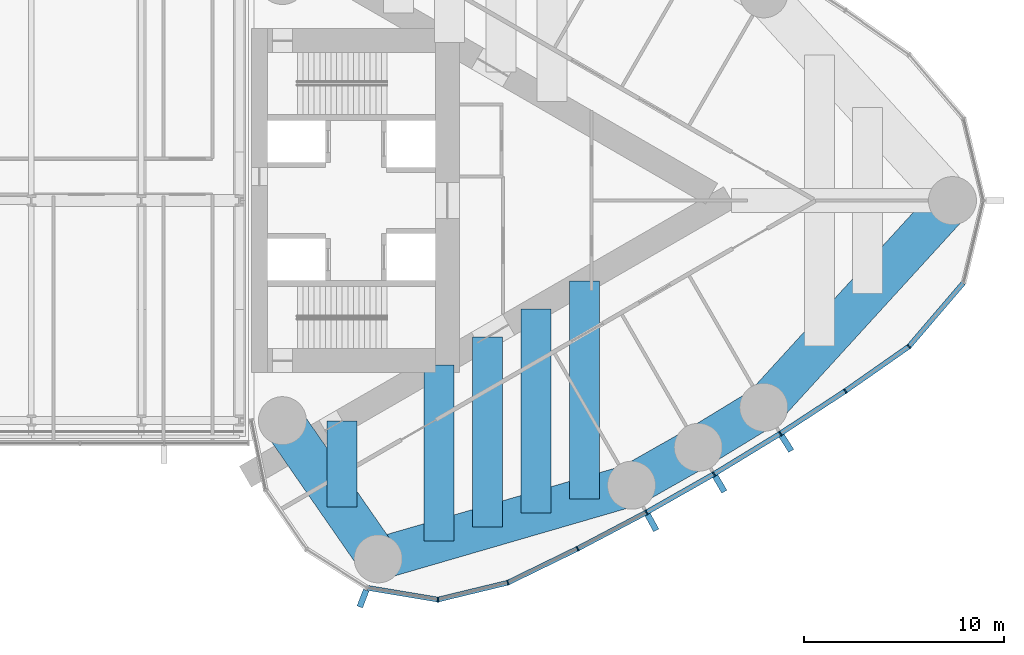
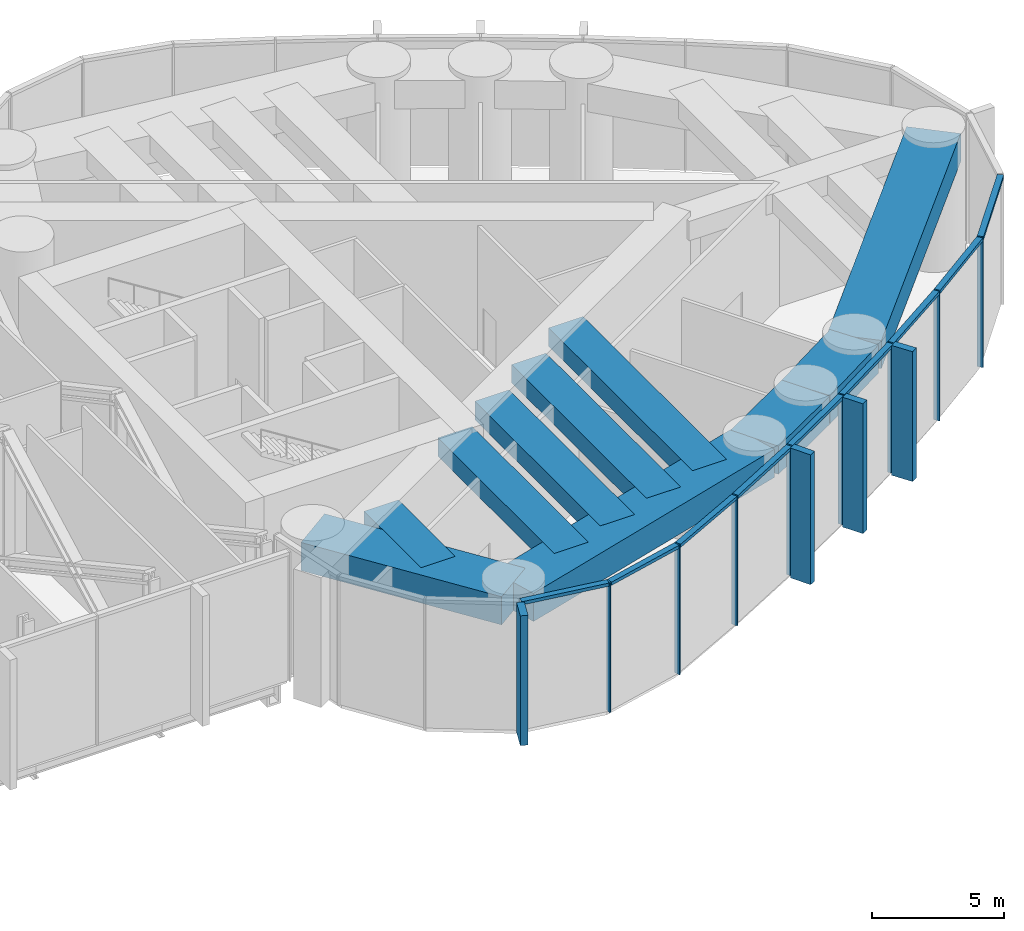
# One storey, part 9 of 21: 21 members, 10 beams, 1 element without a shape of its own.
"""IFC4 building model written with IfcOpenShell, lengths in metres."""

from ifc_helpers import new_model, si_unit, direction, frame, origin, origin_2d, place, context, subcontext, project, spatial, rectangle, extrude, material, material_profile, profile_set, type_object, element, aggregate, save


model = new_model("IFC4")

# Units and contexts
model_context = context("Model", 3, precision=1e-05, world=origin(), true_north=direction((0.0, 1.0)))
body_context = subcontext(model_context, "Body", "Model", "MODEL_VIEW")
ifc_project = project(units=[si_unit("LENGTHUNIT", "METRE"), si_unit("AREAUNIT", "SQUARE_METRE"), si_unit("VOLUMEUNIT", "CUBIC_METRE"), si_unit("PLANEANGLEUNIT", "RADIAN"), si_unit("MASSUNIT", "GRAM", prefix="KILO")], contexts=[model_context])

# Site, building, storey
site_placement = place(None, origin())
site = spatial("IfcSite", under=ifc_project, at=site_placement, CompositionType="ELEMENT")
building_placement = place(site_placement, origin())
building = spatial("IfcBuilding", under=site, at=building_placement, Name="Lancet Gate Hotel", CompositionType="ELEMENT")
storey_placement = place(building_placement, frame((0.0, 0.0, 257.300048828125)))
storey = spatial("IfcBuildingStorey", under=building, at=storey_placement, Name="L68", CompositionType="ELEMENT", Elevation=257.300048828125)

# Curtain wall, members
ifc_material_1 = material(Name="Aluminium curtain wall", Category="aluminium")
curtain_wall_type = type_object("IfcCurtainWallType", Name="Sky deck full-height glazing", PredefinedType="USERDEFINED", material=ifc_material_1)
curtain_wall_placement = place(storey_placement, origin())
curtain_wall = element("IfcCurtainWall", 1, at=curtain_wall_placement, inside=storey, type_object=curtain_wall_type, Name="T2 L68 curtain wall 1", ObjectType="UNITISED CURTAIN WALL", PredefinedType="USERDEFINED")
ifc_material_2 = material(Name="Aluminium mullion", Category="aluminium")
ifc_material_profile_1 = material_profile(ifc_material_2, rectangle(XDim=0.06494140625, YDim=0.25, at=origin_2d()), Name="MULLION 65x250")
ifc_profile_set_1 = profile_set([ifc_material_profile_1], Name="Aluminium mullion")
member_type_1 = type_object("IfcMemberType", Name="Aluminium mullion 65x250", PredefinedType="MULLION", material=ifc_profile_set_1)
member_1_placement = place(storey_placement, frame((36.826171875, -19.942138671875, 0.0), z_axis=(0.0, 0.0, 1.0), x_axis=(0.999342744911, 0.03625021647, 0.0)))
member_1 = element("IfcMember", 2, at=member_1_placement, type_object=member_type_1, Name="T2 L68 curtain wall 1 mullion 5", PredefinedType="MULLION", context=body_context, shape_type="SweptSolid", body=[
    extrude(rectangle(XDim=0.06494140625, YDim=0.25, at=origin_2d()), origin(), (0.0, 0.0, 1.0), 6.0),
])
member_2_placement = place(storey_placement, frame((40.3173828125, -19.098388671875, 0.0), z_axis=(0.0, 0.0, 1.0), x_axis=(0.939483740419, 0.342593493061, 0.0)))
member_2 = element("IfcMember", 3, at=member_2_placement, type_object=member_type_1, Name="T2 L68 curtain wall 1 mullion 6", PredefinedType="MULLION", context=body_context, shape_type="SweptSolid", body=[
    extrude(rectangle(XDim=0.06494140625, YDim=0.25, at=origin_2d()), origin(), (0.0, 0.0, 1.0), 6.0),
])
member_3_placement = place(storey_placement, frame((43.80810546875, -17.396240234375, 0.0), z_axis=(0.0, 0.0, 1.0), x_axis=(0.891832977257, 0.452364831389, 0.0)))
member_3 = element("IfcMember", 4, at=member_3_placement, type_object=member_type_1, Name="T2 L68 curtain wall 1 mullion 7", PredefinedType="MULLION", context=body_context, shape_type="SweptSolid", body=[
    extrude(rectangle(XDim=0.06494140625, YDim=0.25, at=origin_2d()), origin(), (0.0, 0.0, 1.0), 6.0),
])
member_4_placement = place(storey_placement, frame((47.24365234375, -15.585205078125, 0.0), z_axis=(0.0, 0.0, 1.0), x_axis=(0.877194589488, 0.480135035352, 0.0)))
member_4 = element("IfcMember", 5, at=member_4_placement, type_object=member_type_1, Name="T2 L68 curtain wall 1 mullion 8", PredefinedType="MULLION", context=body_context, shape_type="SweptSolid", body=[
    extrude(rectangle(XDim=0.06494140625, YDim=0.25, at=origin_2d()), origin(), (0.0, 0.0, 1.0), 6.0),
])
member_5_placement = place(storey_placement, frame((50.62060546875, -13.667236328125, 0.0), z_axis=(0.0, 0.0, 1.0), x_axis=(0.861691755738, 0.507432082247, 0.0)))
member_5 = element("IfcMember", 6, at=member_5_placement, type_object=member_type_1, Name="T2 L68 curtain wall 1 mullion 9", PredefinedType="MULLION", context=body_context, shape_type="SweptSolid", body=[
    extrude(rectangle(XDim=0.06494140625, YDim=0.25, at=origin_2d()), origin(), (0.0, 0.0, 1.0), 6.0),
])
member_6_placement = place(storey_placement, frame((53.935791015625, -11.644287109375, 0.0), z_axis=(0.0, 0.0, 1.0), x_axis=(0.845339753513, 0.534229071777, 0.0)))
member_6 = element("IfcMember", 7, at=member_6_placement, type_object=member_type_1, Name="T2 L68 curtain wall 1 mullion 10", PredefinedType="MULLION", context=body_context, shape_type="SweptSolid", body=[
    extrude(rectangle(XDim=0.06494140625, YDim=0.25, at=origin_2d()), origin(), (0.0, 0.0, 1.0), 6.0),
])
member_7_placement = place(storey_placement, frame((57.185791015625, -9.518310546875, 0.0), z_axis=(0.0, 0.0, 1.0), x_axis=(0.828154697184, 0.560499596371, 0.0)))
member_7 = element("IfcMember", 8, at=member_7_placement, type_object=member_type_1, Name="T2 L68 curtain wall 1 mullion 11", PredefinedType="MULLION", context=body_context, shape_type="SweptSolid", body=[
    extrude(rectangle(XDim=0.06494140625, YDim=0.25, at=origin_2d()), origin(), (0.0, 0.0, 1.0), 6.0),
])
member_8_placement = place(storey_placement, frame((60.367431640625, -7.291259765625, 0.0), z_axis=(0.0, 0.0, 1.0), x_axis=(0.737323173512, 0.675540182226, 0.0)))
member_8 = element("IfcMember", 9, at=member_8_placement, type_object=member_type_1, Name="T2 L68 curtain wall 1 mullion 12", PredefinedType="MULLION", context=body_context, shape_type="SweptSolid", body=[
    extrude(rectangle(XDim=0.06494140625, YDim=0.25, at=origin_2d()), origin(), (0.0, 0.0, 1.0), 6.0),
])
ifc_material_3 = material(Name="Aluminium transom", Category="aluminium")
ifc_material_profile_2 = material_profile(ifc_material_3, rectangle(XDim=0.25, YDim=0.14990234375, at=origin_2d()), Name="TRANSOM 250x150")
ifc_profile_set_2 = profile_set([ifc_material_profile_2], Name="Aluminium transom")
member_type_2 = type_object("IfcMemberType", Name="Aluminium transom 250x150", PredefinedType="USERDEFINED", material=ifc_profile_set_2)
member_9_placement = place(storey_placement, frame((33.315185546875, -19.35888671875, 5.925048828125), z_axis=(0.986483584545, -0.163860115412, 0.0), x_axis=(0.163860115412, 0.986483584545, 0.0)))
member_9 = element("IfcMember", 10, at=member_9_placement, type_object=member_type_2, Name="T2 L68 curtain wall 1 transom 4", ObjectType="TRANSOM", PredefinedType="USERDEFINED", context=body_context, shape_type="SweptSolid", body=[
    extrude(rectangle(XDim=0.25, YDim=0.14990234375, at=origin_2d()), origin(), (0.0, 0.0, 1.0), 3.526611328125),
])
member_10_placement = place(storey_placement, frame((36.85791015625, -19.9345703125, 5.925048828125), z_axis=(0.972002653858, 0.234969872307, 0.0), x_axis=(-0.234969872307, 0.972002653858, 0.0)))
member_10 = element("IfcMember", 11, at=member_10_placement, type_object=member_type_2, Name="T2 L68 curtain wall 1 transom 5", ObjectType="TRANSOM", PredefinedType="USERDEFINED", context=body_context, shape_type="SweptSolid", body=[
    extrude(rectangle(XDim=0.25, YDim=0.14990234375, at=origin_2d()), origin(), (0.0, 0.0, 1.0), 3.5263671875),
])
member_11_placement = place(storey_placement, frame((40.346435546875, -19.084228515625, 5.925048828125), z_axis=(0.898820051991, 0.438317823206, 0.0), x_axis=(-0.438317823206, 0.898820051991, 0.0)))
member_11 = element("IfcMember", 12, at=member_11_placement, type_object=member_type_2, Name="T2 L68 curtain wall 1 transom 6", ObjectType="TRANSOM", PredefinedType="USERDEFINED", context=body_context, shape_type="SweptSolid", body=[
    extrude(rectangle(XDim=0.25, YDim=0.14990234375, at=origin_2d()), origin(), (0.0, 0.0, 1.0), 3.81884765625),
])
member_12_placement = place(storey_placement, frame((43.836669921875, -17.381103515625, 5.925048828125), z_axis=(0.884618491031, 0.466315478325, 0.0), x_axis=(-0.466315478325, 0.884618491031, 0.0)))
member_12 = element("IfcMember", 13, at=member_12_placement, type_object=member_type_2, Name="T2 L68 curtain wall 1 transom 7", ObjectType="TRANSOM", PredefinedType="USERDEFINED", context=body_context, shape_type="SweptSolid", body=[
    extrude(rectangle(XDim=0.25, YDim=0.14990234375, at=origin_2d()), origin(), (0.0, 0.0, 1.0), 3.81884765625),
])
member_13_placement = place(storey_placement, frame((47.271728515625, -15.569091796875, 5.925048828125), z_axis=(0.869562011924, 0.493823761496, 0.0), x_axis=(-0.493823761496, 0.869562011924, 0.0)))
member_13 = element("IfcMember", 14, at=member_13_placement, type_object=member_type_2, Name="T2 L68 curtain wall 1 transom 8", ObjectType="TRANSOM", PredefinedType="USERDEFINED", context=body_context, shape_type="SweptSolid", body=[
    extrude(rectangle(XDim=0.25, YDim=0.14990234375, at=origin_2d()), origin(), (0.0, 0.0, 1.0), 3.818603515625),
])
member_14_placement = place(storey_placement, frame((50.648193359375, -13.650390625, 5.925048828125), z_axis=(0.853638798527, 0.520865435261, 0.0), x_axis=(-0.520865435261, 0.853638798527, 0.0)))
member_14 = element("IfcMember", 15, at=member_14_placement, type_object=member_type_2, Name="T2 L68 curtain wall 1 transom 9", ObjectType="TRANSOM", PredefinedType="USERDEFINED", context=body_context, shape_type="SweptSolid", body=[
    extrude(rectangle(XDim=0.25, YDim=0.14990234375, at=origin_2d()), origin(), (0.0, 0.0, 1.0), 3.818603515625),
])
member_15_placement = place(storey_placement, frame((53.962890625, -11.62646484375, 5.925048828125), z_axis=(0.836858089593, 0.547419891749, 0.0), x_axis=(-0.547419891749, 0.836858089593, 0.0)))
member_15 = element("IfcMember", 16, at=member_15_placement, type_object=member_type_2, Name="T2 L68 curtain wall 1 transom 10", ObjectType="TRANSOM", PredefinedType="USERDEFINED", context=body_context, shape_type="SweptSolid", body=[
    extrude(rectangle(XDim=0.25, YDim=0.14990234375, at=origin_2d()), origin(), (0.0, 0.0, 1.0), 3.818603515625),
])
member_16_placement = place(storey_placement, frame((57.21240234375, -9.499755859375, 5.925048828125), z_axis=(0.819255948852, 0.573428016642, 0.0), x_axis=(-0.573428016642, 0.819255948852, 0.0)))
member_16 = element("IfcMember", 17, at=member_16_placement, type_object=member_type_2, Name="T2 L68 curtain wall 1 transom 11", ObjectType="TRANSOM", PredefinedType="USERDEFINED", context=body_context, shape_type="SweptSolid", body=[
    extrude(rectangle(XDim=0.25, YDim=0.14990234375, at=origin_2d()), origin(), (0.0, 0.0, 1.0), 3.818603515625),
])
member_17_placement = place(storey_placement, frame((60.388427734375, -7.2666015625, 5.925048828125), z_axis=(0.650592500186, 0.759427019997, 0.0), x_axis=(-0.759427019997, 0.650592500186, 0.0)))
member_17 = element("IfcMember", 18, at=member_17_placement, type_object=member_type_2, Name="T2 L68 curtain wall 1 transom 12", ObjectType="TRANSOM", PredefinedType="USERDEFINED", context=body_context, shape_type="SweptSolid", body=[
    extrude(rectangle(XDim=0.25, YDim=0.14990234375, at=origin_2d()), origin(), (0.0, 0.0, 1.0), 4.1455078125),
])

# Beams
ifc_material_4 = material(Name="Concrete C50/60", Category="concrete")
ifc_material_profile_3 = material_profile(ifc_material_4, rectangle(XDim=2.10009765625, YDim=1.300048828125, at=origin_2d()), Name="RC 2100x1300")
ifc_profile_set_3 = profile_set([ifc_material_profile_3], Name="Concrete C50/60")
beam_type_1 = type_object("IfcBeamType", Name="Edge beam RC 2100x1300", PredefinedType="SPANDREL", material=ifc_profile_set_3)
beam_1_placement = place(storey_placement, frame((33.837158203125, -17.906005859375, 5.099853515625), z_axis=(0.960258384252, 0.279112585659, 0.0), x_axis=(-0.279112585659, 0.960258384252, 0.0)))
element("IfcBeam", 19, at=beam_1_placement, inside=storey, type_object=beam_type_1, Name="T2 edge beam EB1 L68", PredefinedType="SPANDREL", context=body_context, shape_type="SweptSolid", body=[
    extrude(rectangle(XDim=2.10009765625, YDim=1.300048828125, at=origin_2d()), origin(), (0.0, 0.0, 1.0), 13.18603515625),
])
beam_2_placement = place(storey_placement, frame((46.499267578125, -14.2255859375, 5.099853515625), z_axis=(0.869560321562, 0.493826738001, 0.0), x_axis=(-0.493826738001, 0.869560321562, 0.0)))
element("IfcBeam", 20, at=beam_2_placement, inside=storey, type_object=beam_type_1, Name="T2 edge beam EB1 L68", PredefinedType="SPANDREL", context=body_context, shape_type="SweptSolid", body=[
    extrude(rectangle(XDim=2.10009765625, YDim=1.300048828125, at=origin_2d()), origin(), (0.0, 0.0, 1.0), 3.8349609375),
])
beam_3_placement = place(storey_placement, frame((49.833984375, -12.331787109375, 5.099853515625), z_axis=(0.853604257265, 0.520922040212, 0.0), x_axis=(-0.520922040212, 0.853604257265, 0.0)))
element("IfcBeam", 21, at=beam_3_placement, inside=storey, type_object=beam_type_1, Name="T2 edge beam EB1 L68", PredefinedType="SPANDREL", context=body_context, shape_type="SweptSolid", body=[
    extrude(rectangle(XDim=2.10009765625, YDim=1.300048828125, at=origin_2d()), origin(), (0.0, 0.0, 1.0), 3.835205078125),
])
beam_4_placement = place(storey_placement, frame((53.107666015625, -10.333984375, 5.099853515625), z_axis=(0.674209372947, 0.738540263919, 0.0), x_axis=(-0.738540263919, 0.674209372947, 0.0)))
element("IfcBeam", 22, at=beam_4_placement, inside=storey, type_object=beam_type_1, Name="T2 edge beam EB1 L68", PredefinedType="SPANDREL", context=body_context, shape_type="SweptSolid", body=[
    extrude(rectangle(XDim=2.10009765625, YDim=1.300048828125, at=origin_2d()), origin(), (0.0, 0.0, 1.0), 13.992431640625),
])
beam_5_placement = place(storey_placement, frame((33.837158203125, -17.906005859375, 5.099853515625), z_axis=(-0.569694852599, 0.821856298219, 0.0), x_axis=(-0.821856298219, -0.569694852599, 0.0)))
element("IfcBeam", 23, at=beam_5_placement, inside=storey, type_object=beam_type_1, Name="T2 edge beam EB1 L68", PredefinedType="SPANDREL", context=body_context, shape_type="SweptSolid", body=[
    extrude(rectangle(XDim=2.10009765625, YDim=1.300048828125, at=origin_2d()), origin(), (0.0, 0.0, 1.0), 8.40283203125),
])

# Member
ifc_material_5 = material(Name="Precast concrete C50/60", Category="concrete")
ifc_material_profile_4 = material_profile(ifc_material_5, rectangle(XDim=0.300048828125, YDim=0.89990234375, at=origin_2d()), Name="FIN 300x900")
ifc_profile_set_4 = profile_set([ifc_material_profile_4], Name="Precast concrete C50/60")
member_type_3 = type_object("IfcMemberType", Name="Exposed concrete fin 300x900", PredefinedType="USERDEFINED", material=ifc_profile_set_4)
member_18_placement = place(storey_placement, frame((33.07763671875, -19.890625, 0.0), z_axis=(0.0, 0.0, 1.0), x_axis=(0.93394321776, -0.357421412343, 0.0)))
member_18 = element("IfcMember", 24, at=member_18_placement, type_object=member_type_3, Name="T2 L68 curtain wall 1 fin 4", ObjectType="FIN", PredefinedType="USERDEFINED", context=body_context, shape_type="SweptSolid", body=[
    extrude(rectangle(XDim=0.300048828125, YDim=0.89990234375, at=origin_2d()), origin(), (0.0, 0.0, 1.0), 6.0),
])

member_19_placement = place(storey_placement, frame((47.51953125, -16.089599609375, 0.0), z_axis=(0.0, 0.0, 1.0), x_axis=(0.877194589488, 0.480135035352, 0.0)))
member_19 = element("IfcMember", 25, at=member_19_placement, type_object=member_type_3, Name="T2 L68 curtain wall 1 fin 8", ObjectType="FIN", PredefinedType="USERDEFINED", context=body_context, shape_type="SweptSolid", body=[
    extrude(rectangle(XDim=0.300048828125, YDim=0.89990234375, at=origin_2d()), origin(), (0.0, 0.0, 1.0), 6.0),
])

member_20_placement = place(storey_placement, frame((50.912353515625, -14.162841796875, 0.0), z_axis=(0.0, 0.0, 1.0), x_axis=(0.861691755738, 0.507432082247, 0.0)))
member_20 = element("IfcMember", 26, at=member_20_placement, type_object=member_type_3, Name="T2 L68 curtain wall 1 fin 9", ObjectType="FIN", PredefinedType="USERDEFINED", context=body_context, shape_type="SweptSolid", body=[
    extrude(rectangle(XDim=0.300048828125, YDim=0.89990234375, at=origin_2d()), origin(), (0.0, 0.0, 1.0), 6.0),
])

member_21_placement = place(storey_placement, frame((54.242919921875, -12.13037109375, 0.0), z_axis=(0.0, 0.0, 1.0), x_axis=(0.845339753513, 0.534229071777, 0.0)))
member_21 = element("IfcMember", 27, at=member_21_placement, type_object=member_type_3, Name="T2 L68 curtain wall 1 fin 10", ObjectType="FIN", PredefinedType="USERDEFINED", context=body_context, shape_type="SweptSolid", body=[
    extrude(rectangle(XDim=0.300048828125, YDim=0.89990234375, at=origin_2d()), origin(), (0.0, 0.0, 1.0), 6.0),
])

aggregate(curtain_wall, [member_18, member_1, member_2, member_3, member_4, member_19, member_5, member_20, member_6, member_21, member_7, member_8, member_9, member_10, member_11, member_12, member_13, member_14, member_15, member_16, member_17])

# Beams
ifc_material_6 = material(Name="Concrete C50/60", Category="concrete")
ifc_material_profile_5 = material_profile(ifc_material_6, rectangle(XDim=1.5, YDim=0.85009765625, at=origin_2d()), Name="RC 1500x850")
ifc_profile_set_5 = profile_set([ifc_material_profile_5], Name="Concrete C50/60")
beam_type_2 = type_object("IfcBeamType", Name="Floor beam RC 1500x850", PredefinedType="BEAM", material=ifc_profile_set_5)
beam_6_placement = place(storey_placement, frame((32.04052734375, -15.31396484375, 5.324951171875), z_axis=(0.0, 1.0, 0.0), x_axis=(-1.0, 0.0, 0.0)))
element("IfcBeam", 28, at=beam_6_placement, inside=storey, type_object=beam_type_2, Name="T2 floor beam F01S L68", PredefinedType="BEAM", context=body_context, shape_type="SweptSolid", body=[
    extrude(rectangle(XDim=1.5, YDim=0.85009765625, at=origin_2d()), origin(), (0.0, 0.0, 1.0), 4.30859375),
])
beam_7_placement = place(storey_placement, frame((36.880859375, -17.021240234375, 5.324951171875), z_axis=(0.0, 1.0, 0.0), x_axis=(-1.0, 0.0, 0.0)))
element("IfcBeam", 29, at=beam_7_placement, inside=storey, type_object=beam_type_2, Name="T2 floor beam F03S L68", PredefinedType="BEAM", context=body_context, shape_type="SweptSolid", body=[
    extrude(rectangle(XDim=1.5, YDim=0.85009765625, at=origin_2d()), origin(), (0.0, 0.0, 1.0), 8.810546875),
])
beam_8_placement = place(storey_placement, frame((39.301025390625, -16.31787109375, 5.324951171875), z_axis=(0.0, 1.0, 0.0), x_axis=(-1.0, 0.0, 0.0)))
element("IfcBeam", 30, at=beam_8_placement, inside=storey, type_object=beam_type_2, Name="T2 floor beam F05S L68", PredefinedType="BEAM", context=body_context, shape_type="SweptSolid", body=[
    extrude(rectangle(XDim=1.5, YDim=0.85009765625, at=origin_2d()), origin(), (0.0, 0.0, 1.0), 9.50439453125),
])
beam_9_placement = place(storey_placement, frame((41.721435546875, -15.6142578125, 5.324951171875), z_axis=(0.0, 1.0, 0.0), x_axis=(-1.0, 0.0, 0.0)))
element("IfcBeam", 31, at=beam_9_placement, inside=storey, type_object=beam_type_2, Name="T2 floor beam F07S L68", PredefinedType="BEAM", context=body_context, shape_type="SweptSolid", body=[
    extrude(rectangle(XDim=1.5, YDim=0.85009765625, at=origin_2d()), origin(), (0.0, 0.0, 1.0), 10.1982421875),
])
beam_10_placement = place(storey_placement, frame((44.1416015625, -14.910888671875, 5.324951171875), z_axis=(0.0, 1.0, 0.0), x_axis=(-1.0, 0.0, 0.0)))
element("IfcBeam", 32, at=beam_10_placement, inside=storey, type_object=beam_type_2, Name="T2 floor beam F09S L68", PredefinedType="BEAM", context=body_context, shape_type="SweptSolid", body=[
    extrude(rectangle(XDim=1.5, YDim=0.85009765625, at=origin_2d()), origin(), (0.0, 0.0, 1.0), 10.89208984375),
])

save(model, "model.ifc")
